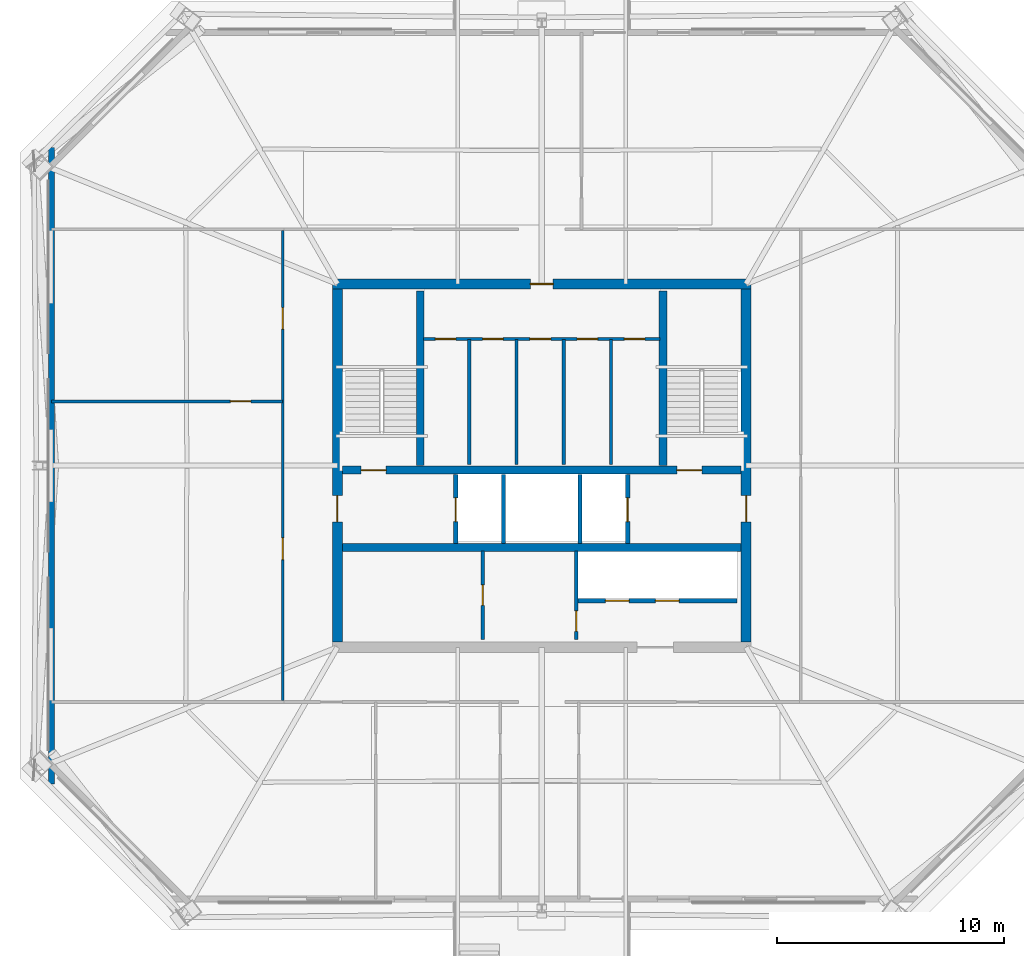
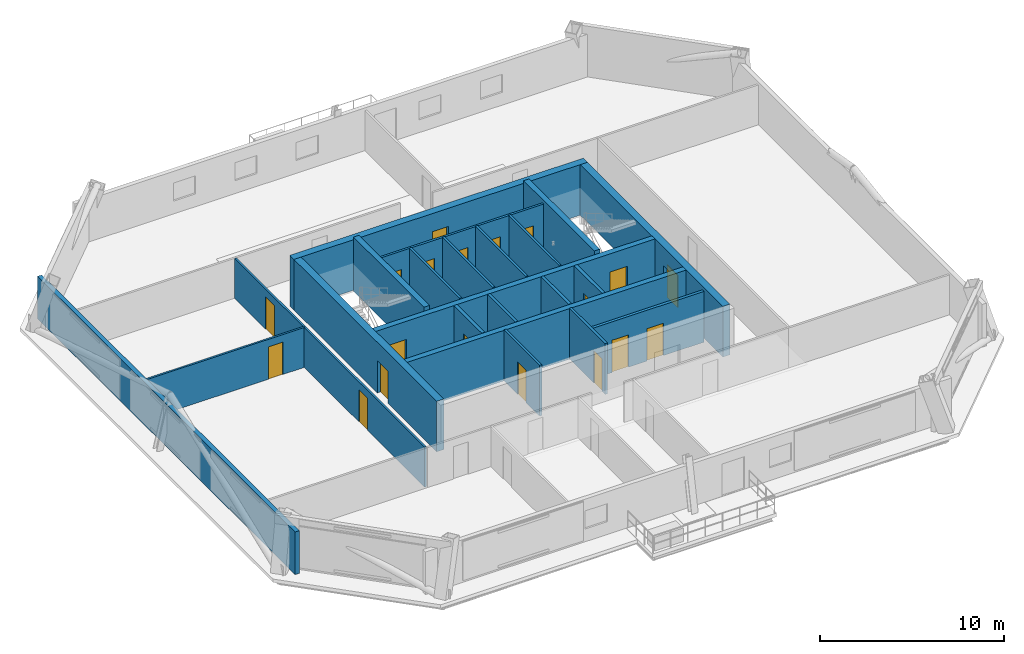
# One storey, part 3 of 6: 22 walls, 19 doors, 19 openings.
"""IFC4 building model written with IfcOpenShell, lengths in metres."""

from ifc_helpers import new_model, si_unit, direction, frame, frame_2d, origin, place, context, subcontext, project, spatial, rectangle, extrude, material, layer, layer_set, type_object, element, fill, save


model = new_model("IFC4")

# Units and contexts
model_context = context("Model", 3, precision=1e-05, world=origin(), true_north=direction((0.0, 1.0)))
body_context = subcontext(model_context, "Body", "Model", "MODEL_VIEW")
ifc_project = project(units=[si_unit("LENGTHUNIT", "METRE"), si_unit("AREAUNIT", "SQUARE_METRE"), si_unit("VOLUMEUNIT", "CUBIC_METRE"), si_unit("PLANEANGLEUNIT", "RADIAN"), si_unit("MASSUNIT", "GRAM", prefix="KILO")], contexts=[model_context])

# Site, building, storey
site_placement = place(None, origin())
site = spatial("IfcSite", under=ifc_project, at=site_placement, CompositionType="ELEMENT")
building_placement = place(site_placement, origin())
building = spatial("IfcBuilding", under=site, at=building_placement, Name="Caelvoria Tower", CompositionType="ELEMENT")
storey_placement = place(building_placement, frame((0.0, 0.0, 195.0)))
storey = spatial("IfcBuildingStorey", under=building, at=storey_placement, Name="L51", CompositionType="ELEMENT", Elevation=195.0)

# Wall, openings, doors
ifc_material_1 = material(Name="Concrete C50/60", Category="concrete")
ifc_layer_1 = layer(ifc_material_1, 0.35009765625, Name="Concrete C50/60")
ifc_layer_set_1 = layer_set([ifc_layer_1], Name="Core Internal Shear Wall 350 - Concrete C50/60")
wall_type_1 = type_object("IfcWallType", Name="Core Internal Shear Wall 350", PredefinedType="SHEAR", material=ifc_layer_set_1)
wall_1_placement = place(storey_placement, frame((37.22509765625, 31.800048828125, 0.0), z_axis=(0.0, 0.0, 1.0), x_axis=(1.0, 0.0, 0.0)))
wall_1 = element("IfcWall", 1, at=wall_1_placement, inside=storey, type_object=wall_type_1, Name="Core Shear Wall L51 M1", PredefinedType="SHEAR", context=body_context, shape_type="SweptSolid", body=[
    extrude(rectangle(XDim=17.5498046875, YDim=0.35009765625, at=frame_2d((8.77490234375, 0.0))), origin(), (0.0, 0.0, 1.0), 3.360107421875),
])
opening_1_placement = place(wall_1_placement, frame((0.824951171875, 0.0, 0.0)))
opening_1 = element("IfcOpeningElement", 2, at=opening_1_placement, cuts=wall_1, Name="Opening ID-01", PredefinedType="OPENING", context=body_context, shape_type="SweptSolid", body=[
    extrude(rectangle(XDim=1.10009765625, YDim=2.14990234375, at=frame_2d((0.550048828125, 1.074951171875))), frame((0.0, 0.18505859375, 0.0), z_axis=(0.0, -1.0, 0.0), x_axis=(1.0, 0.0, 0.0)), (0.0, 0.0, 1.0), 0.3701171875),
])
opening_2_placement = place(wall_1_placement, frame((14.72509765625, 0.0, 0.0)))
opening_2 = element("IfcOpeningElement", 3, at=opening_2_placement, cuts=wall_1, Name="Opening ID-01", PredefinedType="OPENING", context=body_context, shape_type="SweptSolid", body=[
    extrude(rectangle(XDim=1.10009765625, YDim=2.14990234375, at=frame_2d((0.550048828125, 1.074951171875))), frame((0.0, 0.18505859375, 0.0), z_axis=(0.0, -1.0, 0.0), x_axis=(1.0, 0.0, 0.0)), (0.0, 0.0, 1.0), 0.3701171875),
])
ifc_material_2 = material(Name="Painted Hollow Steel Fire Door", Category="steel")
door_type_1 = type_object("IfcDoorType", Name="Fire Door FD90S 1100x2150", OperationType="NOTDEFINED", PredefinedType="DOOR", material=ifc_material_2)
door_1_placement = place(opening_1_placement, origin())
door_1 = element("IfcDoor", 4, at=door_1_placement, inside=storey, type_object=door_type_1, Name="Core Door DR-L51-ST1", OperationType="SINGLE_SWING_LEFT", OverallHeight=2.14990234375, OverallWidth=1.10009765625, PredefinedType="DOOR", context=body_context, shape_type="SweptSolid", body=[
    extrude(rectangle(XDim=1.10009765625, YDim=2.14990234375, at=frame_2d((0.550048828125, 1.074951171875))), frame((0.0, 0.02490234375, 0.0), z_axis=(0.0, -1.0, 0.0), x_axis=(1.0, 0.0, 0.0)), (0.0, 0.0, 1.0), 0.050048828125),
])
fill(opening_1, door_1)
door_2_placement = place(opening_2_placement, origin())
door_2 = element("IfcDoor", 5, at=door_2_placement, inside=storey, type_object=door_type_1, Name="Core Door DR-L51-ST2", OperationType="SINGLE_SWING_RIGHT", OverallHeight=2.14990234375, OverallWidth=1.10009765625, PredefinedType="DOOR", context=body_context, shape_type="SweptSolid", body=[
    extrude(rectangle(XDim=1.10009765625, YDim=2.14990234375, at=frame_2d((0.550048828125, 1.074951171875))), frame((0.0, 0.02490234375, 0.0), z_axis=(0.0, -1.0, 0.0), x_axis=(1.0, 0.0, 0.0)), (0.0, 0.0, 1.0), 0.050048828125),
])
fill(opening_2, door_2)

# Walls
wall_2_placement = place(storey_placement, frame((37.22509765625, 28.39990234375, 0.0), z_axis=(0.0, 0.0, 1.0), x_axis=(1.0, 0.0, 0.0)))
element("IfcWall", 6, at=wall_2_placement, inside=storey, type_object=wall_type_1, Name="Core Shear Wall L51 M2", PredefinedType="SHEAR", context=body_context, shape_type="SweptSolid", body=[
    extrude(rectangle(XDim=17.5498046875, YDim=0.35009765625, at=frame_2d((8.77490234375, 0.0))), origin(), (0.0, 0.0, 1.0), 3.360107421875),
])
for number, where, z_axis, x_axis, name in (
    (7, (40.64990234375, 32.0, 0.0), (0.0, 0.0, 1.0), (0.0, 1.0, 0.0), "Interior Partition IW-L51-ST1E"),
    (8, (51.35009765625, 32.0, 0.0), (0.0, 0.0, 1.0), (0.0, 1.0, 0.0), "Interior Partition IW-L51-ST2W"),
):
    element("IfcWall", number, at=place(storey_placement, frame(where, z_axis=z_axis, x_axis=x_axis)), inside=storey, type_object=wall_type_1, Name=name, PredefinedType="SHEAR", context=body_context, shape_type="SweptSolid", body=[
        extrude(rectangle(XDim=7.699951171875, YDim=0.35009765625, at=frame_2d((3.85009765625, 0.0))), origin(), (0.0, 0.0, 1.0), 3.60009765625),
    ])
ifc_material_3 = material(Name="Moisture-Resistant Gypsum on Steel Stud", Category="steel")
ifc_layer_2 = layer(ifc_material_3, 0.139892578125, Name="Moisture-Resistant Gypsum on Steel Stud")
ifc_layer_set_2 = layer_set([ifc_layer_2], Name="Core Sanitary Acoustic Partition Wall 140 - Moisture-Resistant Gypsum on Steel Stud")
wall_type_2 = type_object("IfcWallType", Name="Core Sanitary Acoustic Partition Wall 140", PredefinedType="PARTITIONING", material=ifc_layer_set_2)
for number, where, z_axis, x_axis, name in (
    (9, (42.81005859375, 32.050048828125, 0.0), (0.0, 0.0, 1.0), (0.0, 1.0, 0.0), "Interior Partition IW-L51-C1V0"),
    (10, (44.889892578125, 32.050048828125, 0.0), (0.0, 0.0, 1.0), (0.0, 1.0, 0.0), "Interior Partition IW-L51-C1V1"),
    (11, (46.969970703125, 32.050048828125, 0.0), (0.0, 0.0, 1.0), (0.0, 1.0, 0.0), "Interior Partition IW-L51-C1V2"),
    (12, (49.050048828125, 32.050048828125, 0.0), (0.0, 0.0, 1.0), (0.0, 1.0, 0.0), "Interior Partition IW-L51-C1V3"),
):
    element("IfcWall", number, at=place(storey_placement, frame(where, z_axis=z_axis, x_axis=x_axis)), inside=storey, type_object=wall_type_2, Name=name, PredefinedType="PARTITIONING", context=body_context, shape_type="SweptSolid", body=[
        extrude(rectangle(XDim=5.5, YDim=0.139892578125, at=frame_2d((2.75, 0.0))), origin(), (0.0, 0.0, 1.0), 3.375),
    ])

# Wall, openings, doors
wall_3_placement = place(storey_placement, frame((40.800048828125, 37.580078125, 0.0), z_axis=(0.0, 0.0, 1.0), x_axis=(1.0, 0.0, 0.0)))
wall_3 = element("IfcWall", 13, at=wall_3_placement, inside=storey, type_object=wall_type_2, Name="Interior Partition IW-L51-C1H", PredefinedType="PARTITIONING", context=body_context, shape_type="SweptSolid", body=[
    extrude(rectangle(XDim=10.39990234375, YDim=0.139892578125, at=frame_2d((5.199951171875, 0.0))), origin(), (0.0, 0.0, 1.0), 3.375),
])
opening_3_placement = place(wall_3_placement, frame((0.52001953125, 0.0, 0.0)))
opening_3 = element("IfcOpeningElement", 14, at=opening_3_placement, cuts=wall_3, Name="Opening ID-06", PredefinedType="OPENING", context=body_context, shape_type="SweptSolid", body=[
    extrude(rectangle(XDim=0.89990234375, YDim=2.14990234375, at=frame_2d((0.449951171875, 1.074951171875))), frame((0.0, 0.079833984375, 0.0), z_axis=(0.0, -1.0, 0.0), x_axis=(1.0, 0.0, 0.0)), (0.0, 0.0, 1.0), 0.159912109375),
])
opening_4_placement = place(wall_3_placement, frame((2.60009765625, 0.0, 0.0)))
opening_4 = element("IfcOpeningElement", 15, at=opening_4_placement, cuts=wall_3, Name="Opening ID-06", PredefinedType="OPENING", context=body_context, shape_type="SweptSolid", body=[
    extrude(rectangle(XDim=0.89990234375, YDim=2.14990234375, at=frame_2d((0.449951171875, 1.074951171875))), frame((0.0, 0.079833984375, 0.0), z_axis=(0.0, -1.0, 0.0), x_axis=(1.0, 0.0, 0.0)), (0.0, 0.0, 1.0), 0.159912109375),
])
opening_5_placement = place(wall_3_placement, frame((4.679931640625, 0.0, 0.0)))
opening_5 = element("IfcOpeningElement", 16, at=opening_5_placement, cuts=wall_3, Name="Opening ID-07", PredefinedType="OPENING", context=body_context, shape_type="SweptSolid", body=[
    extrude(rectangle(XDim=0.919921875, YDim=2.14990234375, at=frame_2d((0.4599609375, 1.074951171875))), frame((0.0, 0.079833984375, 0.0), z_axis=(0.0, -1.0, 0.0), x_axis=(1.0, 0.0, 0.0)), (0.0, 0.0, 1.0), 0.159912109375),
])
opening_6_placement = place(wall_3_placement, frame((6.760009765625, 0.0, 0.0)))
opening_6 = element("IfcOpeningElement", 17, at=opening_6_placement, cuts=wall_3, Name="Opening ID-06", PredefinedType="OPENING", context=body_context, shape_type="SweptSolid", body=[
    extrude(rectangle(XDim=0.89990234375, YDim=2.14990234375, at=frame_2d((0.449951171875, 1.074951171875))), frame((0.0, 0.079833984375, 0.0), z_axis=(0.0, -1.0, 0.0), x_axis=(1.0, 0.0, 0.0)), (0.0, 0.0, 1.0), 0.159912109375),
])
opening_7_placement = place(wall_3_placement, frame((8.840087890625, 0.0, 0.0)))
opening_7 = element("IfcOpeningElement", 18, at=opening_7_placement, cuts=wall_3, Name="Opening ID-06", PredefinedType="OPENING", context=body_context, shape_type="SweptSolid", body=[
    extrude(rectangle(XDim=0.89990234375, YDim=2.14990234375, at=frame_2d((0.449951171875, 1.074951171875))), frame((0.0, 0.079833984375, 0.0), z_axis=(0.0, -1.0, 0.0), x_axis=(1.0, 0.0, 0.0)), (0.0, 0.0, 1.0), 0.159912109375),
])
ifc_material_4 = material(Name="Engineered Andean Oak Accessible Door", Category="wood")
door_type_2 = type_object("IfcDoorType", Name="Accessible WC Door 950x2150", OperationType="NOTDEFINED", PredefinedType="DOOR", material=ifc_material_4)
door_3_placement = place(opening_5_placement, origin())
door_3 = element("IfcDoor", 19, at=door_3_placement, inside=storey, type_object=door_type_2, Name="Interior Door DR-L51-C1-3", OperationType="SINGLE_SWING_LEFT", OverallHeight=2.14990234375, OverallWidth=0.919921875, PredefinedType="DOOR", context=body_context, shape_type="SweptSolid", body=[
    extrude(rectangle(XDim=0.919921875, YDim=2.14990234375, at=frame_2d((0.4599609375, 1.074951171875))), frame((0.0, 0.02490234375, 0.0), z_axis=(0.0, -1.0, 0.0), x_axis=(1.0, 0.0, 0.0)), (0.0, 0.0, 1.0), 0.050048828125),
])
fill(opening_5, door_3)
ifc_material_5 = material(Name="Engineered Andean Oak Veneer Door", Category="wood")
door_type_3 = type_object("IfcDoorType", Name="Interior Timber Door 900x2150", OperationType="NOTDEFINED", PredefinedType="DOOR", material=ifc_material_5)
door_4_placement = place(opening_3_placement, origin())
door_4 = element("IfcDoor", 20, at=door_4_placement, inside=storey, type_object=door_type_3, Name="Interior Door DR-L51-C1-1", OperationType="SINGLE_SWING_LEFT", OverallHeight=2.14990234375, OverallWidth=0.89990234375, PredefinedType="DOOR", context=body_context, shape_type="SweptSolid", body=[
    extrude(rectangle(XDim=0.89990234375, YDim=2.14990234375, at=frame_2d((0.449951171875, 1.074951171875))), frame((0.0, 0.02490234375, 0.0), z_axis=(0.0, -1.0, 0.0), x_axis=(1.0, 0.0, 0.0)), (0.0, 0.0, 1.0), 0.050048828125),
])
fill(opening_3, door_4)
door_5_placement = place(opening_4_placement, origin())
door_5 = element("IfcDoor", 21, at=door_5_placement, inside=storey, type_object=door_type_3, Name="Interior Door DR-L51-C1-2", OperationType="SINGLE_SWING_RIGHT", OverallHeight=2.14990234375, OverallWidth=0.89990234375, PredefinedType="DOOR", context=body_context, shape_type="SweptSolid", body=[
    extrude(rectangle(XDim=0.89990234375, YDim=2.14990234375, at=frame_2d((0.449951171875, 1.074951171875))), frame((0.0, 0.02490234375, 0.0), z_axis=(0.0, -1.0, 0.0), x_axis=(1.0, 0.0, 0.0)), (0.0, 0.0, 1.0), 0.050048828125),
])
fill(opening_4, door_5)
door_6_placement = place(opening_6_placement, origin())
door_6 = element("IfcDoor", 22, at=door_6_placement, inside=storey, type_object=door_type_3, Name="Interior Door DR-L51-C1-4", OperationType="SINGLE_SWING_RIGHT", OverallHeight=2.14990234375, OverallWidth=0.89990234375, PredefinedType="DOOR", context=body_context, shape_type="SweptSolid", body=[
    extrude(rectangle(XDim=0.89990234375, YDim=2.14990234375, at=frame_2d((0.449951171875, 1.074951171875))), frame((0.0, 0.02490234375, 0.0), z_axis=(0.0, -1.0, 0.0), x_axis=(1.0, 0.0, 0.0)), (0.0, 0.0, 1.0), 0.050048828125),
])
fill(opening_6, door_6)
door_7_placement = place(opening_7_placement, origin())
door_7 = element("IfcDoor", 23, at=door_7_placement, inside=storey, type_object=door_type_3, Name="Interior Door DR-L51-C1-5", OperationType="SINGLE_SWING_LEFT", OverallHeight=2.14990234375, OverallWidth=0.89990234375, PredefinedType="DOOR", context=body_context, shape_type="SweptSolid", body=[
    extrude(rectangle(XDim=0.89990234375, YDim=2.14990234375, at=frame_2d((0.449951171875, 1.074951171875))), frame((0.0, 0.02490234375, 0.0), z_axis=(0.0, -1.0, 0.0), x_axis=(1.0, 0.0, 0.0)), (0.0, 0.0, 1.0), 0.050048828125),
])
fill(opening_7, door_7)

# Wall, opening, door
ifc_material_6 = material(Name="Double Gypsum Board on Steel Stud", Category="steel")
ifc_layer_3 = layer(ifc_material_6, 0.14990234375, Name="Double Gypsum Board on Steel Stud")
ifc_layer_set_3 = layer_set([ifc_layer_3], Name="Core Service Acoustic Partition Wall 150 - Double Gypsum Board on Steel Stud")
wall_type_3 = type_object("IfcWallType", Name="Core Service Acoustic Partition Wall 150", PredefinedType="PARTITIONING", material=ifc_layer_set_3)
wall_4_placement = place(storey_placement, frame((43.39990234375, 24.35009765625, 0.0), z_axis=(0.0, 0.0, 1.0), x_axis=(0.0, 1.0, 0.0)))
wall_4 = element("IfcWall", 24, at=wall_4_placement, inside=storey, type_object=wall_type_3, Name="Interior Partition IW-L51-RECL-MID", PredefinedType="PARTITIONING", context=body_context, shape_type="SweptSolid", body=[
    extrude(rectangle(XDim=3.89990234375, YDim=0.14990234375, at=frame_2d((1.949951171875, 0.0))), origin(), (0.0, 0.0, 1.0), 3.375),
])
opening_8_placement = place(wall_4_placement, frame((1.5, 0.0, 0.0)))
opening_8 = element("IfcOpeningElement", 25, at=opening_8_placement, cuts=wall_4, Name="Opening ID-06", PredefinedType="OPENING", context=body_context, shape_type="SweptSolid", body=[
    extrude(rectangle(XDim=0.89990234375, YDim=2.14990234375, at=frame_2d((0.449951171875, 1.074951171875))), frame((0.0, 0.0849609375, 0.0), z_axis=(0.0, -1.0, 0.0), x_axis=(1.0, 0.0, 0.0)), (0.0, 0.0, 1.0), 0.169921875),
])
door_8_placement = place(opening_8_placement, origin())
door_8 = element("IfcDoor", 26, at=door_8_placement, inside=storey, type_object=door_type_3, Name="Interior Door DR-L51-RECL12", OperationType="SINGLE_SWING_LEFT", OverallHeight=2.14990234375, OverallWidth=0.89990234375, PredefinedType="DOOR", context=body_context, shape_type="SweptSolid", body=[
    extrude(rectangle(XDim=0.89990234375, YDim=2.14990234375, at=frame_2d((0.449951171875, 1.074951171875))), frame((0.0, 0.02490234375, 0.0), z_axis=(0.0, -1.0, 0.0), x_axis=(1.0, 0.0, 0.0)), (0.0, 0.0, 1.0), 0.050048828125),
])
fill(opening_8, door_8)

wall_5_placement = place(storey_placement, frame((47.52001953125, 24.35009765625, 0.0), z_axis=(0.0, 0.0, 1.0), x_axis=(0.0, 1.0, 0.0)))
wall_5 = element("IfcWall", 27, at=wall_5_placement, inside=storey, type_object=wall_type_3, Name="Interior Partition IW-L51-RECL2E", PredefinedType="PARTITIONING", context=body_context, shape_type="SweptSolid", body=[
    extrude(rectangle(XDim=3.89990234375, YDim=0.14990234375, at=frame_2d((1.949951171875, 0.0))), origin(), (0.0, 0.0, 1.0), 3.375),
])
opening_9_placement = place(wall_5_placement, frame((0.35009765625, 0.0, 0.0)))
opening_9 = element("IfcOpeningElement", 28, at=opening_9_placement, cuts=wall_5, Name="Opening ID-04", PredefinedType="OPENING", context=body_context, shape_type="SweptSolid", body=[
    extrude(rectangle(XDim=0.89990234375, YDim=2.14990234375, at=frame_2d((0.449951171875, 1.074951171875))), frame((0.0, 0.0849609375, 0.0), z_axis=(0.0, -1.0, 0.0), x_axis=(1.0, 0.0, 0.0)), (0.0, 0.0, 1.0), 0.169921875),
])
ifc_material_7 = material(Name="Acoustic Timber Fire Door", Category="wood")
door_type_4 = type_object("IfcDoorType", Name="Fire Door FD30S 900x2150", OperationType="NOTDEFINED", PredefinedType="DOOR", material=ifc_material_7)
door_9_placement = place(opening_9_placement, origin())
door_9 = element("IfcDoor", 29, at=door_9_placement, inside=storey, type_object=door_type_4, Name="Interior Door DR-L51-RECL2", OperationType="SINGLE_SWING_RIGHT", OverallHeight=2.14990234375, OverallWidth=0.89990234375, PredefinedType="DOOR", context=body_context, shape_type="SweptSolid", body=[
    extrude(rectangle(XDim=0.89990234375, YDim=2.14990234375, at=frame_2d((0.449951171875, 1.074951171875))), frame((0.0, 0.02490234375, 0.0), z_axis=(0.0, -1.0, 0.0), x_axis=(1.0, 0.0, 0.0)), (0.0, 0.0, 1.0), 0.050048828125),
])
fill(opening_9, door_9)

# Walls
ifc_material_8 = material(Name="Concrete Block and Fireboard Assembly", Category="concrete")
ifc_layer_4 = layer(ifc_material_8, 0.179931640625, Name="Concrete Block and Fireboard Assembly")
ifc_layer_set_4 = layer_set([ifc_layer_4], Name="Fire-Rated Hoistway Partition Wall 180 - Concrete Block and Fireboard Assembly")
wall_type_4 = type_object("IfcWallType", Name="Fire-Rated Hoistway Partition Wall 180", PredefinedType="PARTITIONING", material=ifc_layer_set_4)
for number, where, z_axis, x_axis, name in (
    (30, (44.320068359375, 28.580078125, 0.0), (0.0, 0.0, 1.0), (0.0, 1.0, 0.0), "Interior Partition IW-L51-SV1W"),
    (31, (47.679931640625, 28.580078125, 0.0), (0.0, 0.0, 1.0), (0.0, 1.0, 0.0), "Interior Partition IW-L51-SV1E"),
):
    element("IfcWall", number, at=place(storey_placement, frame(where, z_axis=z_axis, x_axis=x_axis)), inside=storey, type_object=wall_type_4, Name=name, PredefinedType="PARTITIONING", context=body_context, shape_type="SweptSolid", body=[
        extrude(rectangle(XDim=3.0400390625, YDim=0.179931640625, at=frame_2d((1.52001953125, 0.0))), origin(), (0.0, 0.0, 1.0), 3.375),
    ])

# Wall, openings, doors
wall_6_placement = place(storey_placement, frame((47.60009765625, 26.050048828125, 0.0), z_axis=(0.0, 0.0, 1.0), x_axis=(1.0, 0.0, 0.0)))
wall_6 = element("IfcWall", 32, at=wall_6_placement, inside=storey, type_object=wall_type_4, Name="Interior Partition IW-L51-LFRONT", PredefinedType="PARTITIONING", context=body_context, shape_type="SweptSolid", body=[
    extrude(rectangle(XDim=7.0, YDim=0.179931640625, at=frame_2d((3.5, 0.0))), origin(), (0.0, 0.0, 1.0), 3.375),
])
opening_10_placement = place(wall_6_placement, frame((1.199951171875, 0.0, 0.0)))
opening_10 = element("IfcOpeningElement", 33, at=opening_10_placement, cuts=wall_6, Name="Opening LD-01", PredefinedType="OPENING", context=body_context, shape_type="SweptSolid", body=[
    extrude(rectangle(XDim=1.050048828125, YDim=2.14990234375, at=frame_2d((0.52490234375, 1.074951171875))), frame((0.0, 0.099853515625, 0.0), z_axis=(0.0, -1.0, 0.0), x_axis=(1.0, 0.0, 0.0)), (0.0, 0.0, 1.0), 0.199951171875),
])
opening_11_placement = place(wall_6_placement, frame((3.39990234375, 0.0, 0.0)))
opening_11 = element("IfcOpeningElement", 34, at=opening_11_placement, cuts=wall_6, Name="Opening LD-01", PredefinedType="OPENING", context=body_context, shape_type="SweptSolid", body=[
    extrude(rectangle(XDim=1.050048828125, YDim=2.14990234375, at=frame_2d((0.52490234375, 1.074951171875))), frame((0.0, 0.099853515625, 0.0), z_axis=(0.0, -1.0, 0.0), x_axis=(1.0, 0.0, 0.0)), (0.0, 0.0, 1.0), 0.199951171875),
])
ifc_material_9 = material(Name="Brushed Bronze Stainless Sliding Landing Door", Category="aluminium")
door_type_5 = type_object("IfcDoorType", Name="Lift Landing Sliding Door 1100x2150", OperationType="NOTDEFINED", PredefinedType="DOOR", material=ifc_material_9)
door_10_placement = place(opening_10_placement, origin())
door_10 = element("IfcDoor", 35, at=door_10_placement, inside=storey, type_object=door_type_5, Name="Interior Door LD-L51-PH1", OperationType="SLIDING_TO_LEFT", OverallHeight=2.14990234375, OverallWidth=1.050048828125, PredefinedType="DOOR", context=body_context, shape_type="SweptSolid", body=[
    extrude(rectangle(XDim=1.050048828125, YDim=2.14990234375, at=frame_2d((0.52490234375, 1.074951171875))), frame((0.0, 0.02490234375, 0.0), z_axis=(0.0, -1.0, 0.0), x_axis=(1.0, 0.0, 0.0)), (0.0, 0.0, 1.0), 0.050048828125),
])
fill(opening_10, door_10)
door_11_placement = place(opening_11_placement, origin())
door_11 = element("IfcDoor", 36, at=door_11_placement, inside=storey, type_object=door_type_5, Name="Interior Door LD-L51-PH2", OperationType="SLIDING_TO_RIGHT", OverallHeight=2.14990234375, OverallWidth=1.050048828125, PredefinedType="DOOR", context=body_context, shape_type="SweptSolid", body=[
    extrude(rectangle(XDim=1.050048828125, YDim=2.14990234375, at=frame_2d((0.52490234375, 1.074951171875))), frame((0.0, 0.02490234375, 0.0), z_axis=(0.0, -1.0, 0.0), x_axis=(1.0, 0.0, 0.0)), (0.0, 0.0, 1.0), 0.050048828125),
])
fill(opening_11, door_11)

# Wall, opening, door
ifc_layer_5 = layer(ifc_material_8, 0.199951171875, Name="Concrete Block and Fireboard Assembly")
ifc_layer_set_5 = layer_set([ifc_layer_5], Name="Fire-Rated Shaft and Core Partition Wall 200 - Concrete Block and Fireboard Assembly")
wall_type_5 = type_object("IfcWallType", Name="Fire-Rated Shaft and Core Partition Wall 200", PredefinedType="PARTITIONING", material=ifc_layer_set_5)
wall_7_placement = place(storey_placement, frame((42.219970703125, 28.580078125, 0.0), z_axis=(0.0, 0.0, 1.0), x_axis=(0.0, 1.0, 0.0)))
wall_7 = element("IfcWall", 37, at=wall_7_placement, inside=storey, type_object=wall_type_5, Name="Interior Partition IW-L51-LF1W", PredefinedType="PARTITIONING", context=body_context, shape_type="SweptSolid", body=[
    extrude(rectangle(XDim=3.0400390625, YDim=0.199951171875, at=frame_2d((1.52001953125, 0.0))), origin(), (0.0, 0.0, 1.0), 3.375),
])
opening_12_placement = place(wall_7_placement, frame((0.949951171875, 0.0, 0.0)))
opening_12 = element("IfcOpeningElement", 38, at=opening_12_placement, cuts=wall_7, Name="Opening LD-01", PredefinedType="OPENING", context=body_context, shape_type="SweptSolid", body=[
    extrude(rectangle(XDim=1.050048828125, YDim=2.14990234375, at=frame_2d((0.52490234375, 1.074951171875))), frame((0.0, 0.10986328125, 0.0), z_axis=(0.0, -1.0, 0.0), x_axis=(1.0, 0.0, 0.0)), (0.0, 0.0, 1.0), 0.219970703125),
])
door_12_placement = place(opening_12_placement, origin())
door_12 = element("IfcDoor", 39, at=door_12_placement, inside=storey, type_object=door_type_5, Name="Interior Door LD-L51-LF1", OperationType="SLIDING_TO_LEFT", OverallHeight=2.14990234375, OverallWidth=1.050048828125, PredefinedType="DOOR", context=body_context, shape_type="SweptSolid", body=[
    extrude(rectangle(XDim=1.050048828125, YDim=2.14990234375, at=frame_2d((0.52490234375, 1.074951171875))), frame((0.0, 0.02490234375, 0.0), z_axis=(0.0, -1.0, 0.0), x_axis=(1.0, 0.0, 0.0)), (0.0, 0.0, 1.0), 0.050048828125),
])
fill(opening_12, door_12)

wall_8_placement = place(storey_placement, frame((49.780029296875, 28.580078125, 0.0), z_axis=(0.0, 0.0, 1.0), x_axis=(0.0, 1.0, 0.0)))
wall_8 = element("IfcWall", 40, at=wall_8_placement, inside=storey, type_object=wall_type_5, Name="Interior Partition IW-L51-LF2E", PredefinedType="PARTITIONING", context=body_context, shape_type="SweptSolid", body=[
    extrude(rectangle(XDim=3.0400390625, YDim=0.199951171875, at=frame_2d((1.52001953125, 0.0))), origin(), (0.0, 0.0, 1.0), 3.375),
])
opening_13_placement = place(wall_8_placement, frame((0.949951171875, 0.0, 0.0)))
opening_13 = element("IfcOpeningElement", 41, at=opening_13_placement, cuts=wall_8, Name="Opening LD-01", PredefinedType="OPENING", context=body_context, shape_type="SweptSolid", body=[
    extrude(rectangle(XDim=1.050048828125, YDim=2.14990234375, at=frame_2d((0.52490234375, 1.074951171875))), frame((0.0, 0.10986328125, 0.0), z_axis=(0.0, -1.0, 0.0), x_axis=(1.0, 0.0, 0.0)), (0.0, 0.0, 1.0), 0.219970703125),
])
door_13_placement = place(opening_13_placement, origin())
door_13 = element("IfcDoor", 42, at=door_13_placement, inside=storey, type_object=door_type_5, Name="Interior Door LD-L51-LF2", OperationType="SLIDING_TO_RIGHT", OverallHeight=2.14990234375, OverallWidth=1.050048828125, PredefinedType="DOOR", context=body_context, shape_type="SweptSolid", body=[
    extrude(rectangle(XDim=1.050048828125, YDim=2.14990234375, at=frame_2d((0.52490234375, 1.074951171875))), frame((0.0, 0.02490234375, 0.0), z_axis=(0.0, -1.0, 0.0), x_axis=(1.0, 0.0, 0.0)), (0.0, 0.0, 1.0), 0.050048828125),
])
fill(opening_13, door_13)

ifc_material_10 = material(Name="Acoustic Gypsum Board on Light-Gauge Stud", Category="gypsum")
ifc_layer_6 = layer(ifc_material_10, 0.1201171875, Name="Acoustic Gypsum Board on Light-Gauge Stud")
ifc_layer_set_6 = layer_set([ifc_layer_6], Name="Tenant Suite Acoustic Partition Wall 120 - Acoustic Gypsum Board on Light-Gauge Stud")
wall_type_6 = type_object("IfcWallType", Name="Tenant Suite Acoustic Partition Wall 120", PredefinedType="PARTITIONING", material=ifc_layer_set_6)
wall_9_placement = place(storey_placement, frame((34.590087890625, 34.828857421875, 0.0), z_axis=(0.0, 0.0, 1.0), x_axis=(-1.0, 0.0, 0.0)))
wall_9 = element("IfcWall", 43, at=wall_9_placement, inside=storey, type_object=wall_type_6, Name="Interior Partition IW-L51-WD-00-0", PredefinedType="PARTITIONING", context=body_context, shape_type="SweptSolid", body=[
    extrude(rectangle(XDim=10.190185546875, YDim=0.1201171875, at=frame_2d((5.09521484375, 0.0))), origin(), (0.0, 0.0, 1.0), 2.655029296875),
])
opening_14_placement = place(wall_9_placement, frame((1.39990234375, 0.0, 0.0)))
opening_14 = element("IfcOpeningElement", 44, at=opening_14_placement, cuts=wall_9, Name="Opening ID-06", PredefinedType="OPENING", context=body_context, shape_type="SweptSolid", body=[
    extrude(rectangle(XDim=0.89990234375, YDim=2.14990234375, at=frame_2d((0.449951171875, 1.074951171875))), frame((0.0, 0.070068359375, 0.0), z_axis=(0.0, -1.0, 0.0), x_axis=(1.0, 0.0, 0.0)), (0.0, 0.0, 1.0), 0.14013671875),
])
door_14_placement = place(opening_14_placement, origin())
door_14 = element("IfcDoor", 45, at=door_14_placement, inside=storey, type_object=door_type_3, Name="Interior Door DR-L51-WM-00-0", OperationType="SINGLE_SWING_RIGHT", OverallHeight=2.14990234375, OverallWidth=0.89990234375, PredefinedType="DOOR", context=body_context, shape_type="SweptSolid", body=[
    extrude(rectangle(XDim=0.89990234375, YDim=2.14990234375, at=frame_2d((0.449951171875, 1.074951171875))), frame((0.0, 0.02490234375, 0.0), z_axis=(0.0, -1.0, 0.0), x_axis=(1.0, 0.0, 0.0)), (0.0, 0.0, 1.0), 0.050048828125),
])
fill(opening_14, door_14)

# Wall, openings, doors
wall_10_placement = place(storey_placement, frame((34.590087890625, 21.64990234375, 0.0), z_axis=(0.0, 0.0, 1.0), x_axis=(0.0, 1.0, 0.0)))
wall_10 = element("IfcWall", 46, at=wall_10_placement, inside=storey, type_object=wall_type_6, Name="Interior Partition IW-L51-WCW-0", PredefinedType="PARTITIONING", context=body_context, shape_type="SweptSolid", body=[
    extrude(rectangle(XDim=20.7001953125, YDim=0.1201171875, at=frame_2d((10.35009765625, 0.0))), origin(), (0.0, 0.0, 1.0), 2.655029296875),
])
opening_15_placement = place(wall_10_placement, frame((6.21435546875, 0.0, 0.0)))
opening_15 = element("IfcOpeningElement", 47, at=opening_15_placement, cuts=wall_10, Name="Opening ID-05", PredefinedType="OPENING", context=body_context, shape_type="SweptSolid", body=[
    extrude(rectangle(XDim=0.949951171875, YDim=2.14990234375, at=frame_2d((0.47509765625, 1.074951171875))), frame((0.0, 0.070068359375, 0.0), z_axis=(0.0, -1.0, 0.0), x_axis=(1.0, 0.0, 0.0)), (0.0, 0.0, 1.0), 0.14013671875),
])
opening_16_placement = place(wall_10_placement, frame((16.364501953125, 0.0, 0.0)))
opening_16 = element("IfcOpeningElement", 48, at=opening_16_placement, cuts=wall_10, Name="Opening ID-05", PredefinedType="OPENING", context=body_context, shape_type="SweptSolid", body=[
    extrude(rectangle(XDim=0.949951171875, YDim=2.14990234375, at=frame_2d((0.47509765625, 1.074951171875))), frame((0.0, 0.070068359375, 0.0), z_axis=(0.0, -1.0, 0.0), x_axis=(1.0, 0.0, 0.0)), (0.0, 0.0, 1.0), 0.14013671875),
])
door_type_6 = type_object("IfcDoorType", Name="Interior Timber Door 950x2150", OperationType="NOTDEFINED", PredefinedType="DOOR", material=ifc_material_5)
door_15_placement = place(opening_15_placement, origin())
door_15 = element("IfcDoor", 49, at=door_15_placement, inside=storey, type_object=door_type_6, Name="Interior Door DR-L51-WC-00-0", OperationType="SINGLE_SWING_RIGHT", OverallHeight=2.14990234375, OverallWidth=0.949951171875, PredefinedType="DOOR", context=body_context, shape_type="SweptSolid", body=[
    extrude(rectangle(XDim=0.949951171875, YDim=2.14990234375, at=frame_2d((0.47509765625, 1.074951171875))), frame((0.0, 0.02490234375, 0.0), z_axis=(0.0, -1.0, 0.0), x_axis=(1.0, 0.0, 0.0)), (0.0, 0.0, 1.0), 0.050048828125),
])
fill(opening_15, door_15)
door_16_placement = place(opening_16_placement, origin())
door_16 = element("IfcDoor", 50, at=door_16_placement, inside=storey, type_object=door_type_6, Name="Interior Door DR-L51-WC-01-0", OperationType="SINGLE_SWING_LEFT", OverallHeight=2.14990234375, OverallWidth=0.949951171875, PredefinedType="DOOR", context=body_context, shape_type="SweptSolid", body=[
    extrude(rectangle(XDim=0.949951171875, YDim=2.14990234375, at=frame_2d((0.47509765625, 1.074951171875))), frame((0.0, 0.02490234375, 0.0), z_axis=(0.0, -1.0, 0.0), x_axis=(1.0, 0.0, 0.0)), (0.0, 0.0, 1.0), 0.050048828125),
])
fill(opening_16, door_16)

# Wall, opening, door
ifc_layer_7 = layer(ifc_material_1, 0.449951171875, Name="Concrete C50/60")
ifc_layer_set_7 = layer_set([ifc_layer_7], Name="Upper Core Shear Wall 450 - Concrete C50/60")
wall_type_7 = type_object("IfcWallType", Name="Upper Core Shear Wall 450", PredefinedType="SHEAR", material=ifc_layer_set_7)
wall_11_placement = place(storey_placement, frame((36.77490234375, 40.0, 0.0), z_axis=(0.0, 0.0, 1.0), x_axis=(1.0, 0.0, 0.0)))
wall_11 = element("IfcWall", 51, at=wall_11_placement, inside=storey, type_object=wall_type_7, Name="Core Shear Wall L51 N", PredefinedType="SHEAR", context=body_context, shape_type="SweptSolid", body=[
    extrude(rectangle(XDim=18.4501953125, YDim=0.449951171875, at=frame_2d((9.22509765625, 0.0))), origin(), (0.0, 0.0, 1.0), 3.360107421875),
])
opening_17_placement = place(wall_11_placement, frame((8.72509765625, 0.0, 0.0)))
opening_17 = element("IfcOpeningElement", 52, at=opening_17_placement, cuts=wall_11, Name="Opening ID-03", PredefinedType="OPENING", context=body_context, shape_type="SweptSolid", body=[
    extrude(rectangle(XDim=1.0, YDim=2.14990234375, at=frame_2d((0.5, 1.074951171875))), frame((0.0, 0.23486328125, 0.0), z_axis=(0.0, -1.0, 0.0), x_axis=(1.0, 0.0, 0.0)), (0.0, 0.0, 1.0), 0.469970703125),
])
door_type_7 = type_object("IfcDoorType", Name="Fire Door FD60S 1000x2150", OperationType="NOTDEFINED", PredefinedType="DOOR", material=ifc_material_2)
door_17_placement = place(opening_17_placement, origin())
door_17 = element("IfcDoor", 53, at=door_17_placement, inside=storey, type_object=door_type_7, Name="Core Door DR-L51-WC-MAIN", OperationType="SINGLE_SWING_RIGHT", OverallHeight=2.14990234375, OverallWidth=1.0, PredefinedType="DOOR", context=body_context, shape_type="SweptSolid", body=[
    extrude(rectangle(XDim=1.0, YDim=2.14990234375, at=frame_2d((0.5, 1.074951171875))), frame((0.0, 0.02490234375, 0.0), z_axis=(0.0, -1.0, 0.0), x_axis=(1.0, 0.0, 0.0)), (0.0, 0.0, 1.0), 0.050048828125),
])
fill(opening_17, door_17)

wall_12_placement = place(storey_placement, frame((37.0, 24.22509765625, 0.0), z_axis=(0.0, 0.0, 1.0), x_axis=(0.0, 1.0, 0.0)))
wall_12 = element("IfcWall", 54, at=wall_12_placement, inside=storey, type_object=wall_type_7, Name="Core Shear Wall L51 W", PredefinedType="SHEAR", context=body_context, shape_type="SweptSolid", body=[
    extrude(rectangle(XDim=15.5498046875, YDim=0.449951171875, at=frame_2d((7.77490234375, 0.0))), origin(), (0.0, 0.0, 1.0), 3.360107421875),
])
opening_18_placement = place(wall_12_placement, frame((5.300048828125, 0.0, 0.0)))
opening_18 = element("IfcOpeningElement", 55, at=opening_18_placement, cuts=wall_12, Name="Opening ID-02", PredefinedType="OPENING", context=body_context, shape_type="SweptSolid", body=[
    extrude(rectangle(XDim=1.14990234375, YDim=2.14990234375, at=frame_2d((0.574951171875, 1.074951171875))), frame((0.0, 0.23486328125, 0.0), z_axis=(0.0, -1.0, 0.0), x_axis=(1.0, 0.0, 0.0)), (0.0, 0.0, 1.0), 0.469970703125),
])
door_type_8 = type_object("IfcDoorType", Name="Fire Door FD60S 1150x2150", OperationType="NOTDEFINED", PredefinedType="DOOR", material=ifc_material_2)
door_18_placement = place(opening_18_placement, origin())
door_18 = element("IfcDoor", 56, at=door_18_placement, inside=storey, type_object=door_type_8, Name="Core Door DR-L51-FFLW-OUT", OperationType="SINGLE_SWING_LEFT", OverallHeight=2.14990234375, OverallWidth=1.14990234375, PredefinedType="DOOR", context=body_context, shape_type="SweptSolid", body=[
    extrude(rectangle(XDim=1.14990234375, YDim=2.14990234375, at=frame_2d((0.574951171875, 1.074951171875))), frame((0.0, 0.02490234375, 0.0), z_axis=(0.0, -1.0, 0.0), x_axis=(1.0, 0.0, 0.0)), (0.0, 0.0, 1.0), 0.050048828125),
])
fill(opening_18, door_18)

wall_13_placement = place(storey_placement, frame((55.0, 24.22509765625, 0.0), z_axis=(0.0, 0.0, 1.0), x_axis=(0.0, 1.0, 0.0)))
wall_13 = element("IfcWall", 57, at=wall_13_placement, inside=storey, type_object=wall_type_7, Name="Core Shear Wall L51 E", PredefinedType="SHEAR", context=body_context, shape_type="SweptSolid", body=[
    extrude(rectangle(XDim=15.5498046875, YDim=0.449951171875, at=frame_2d((7.77490234375, 0.0))), origin(), (0.0, 0.0, 1.0), 3.360107421875),
])
opening_19_placement = place(wall_13_placement, frame((5.300048828125, 0.0, 0.0)))
opening_19 = element("IfcOpeningElement", 58, at=opening_19_placement, cuts=wall_13, Name="Opening ID-02", PredefinedType="OPENING", context=body_context, shape_type="SweptSolid", body=[
    extrude(rectangle(XDim=1.14990234375, YDim=2.14990234375, at=frame_2d((0.574951171875, 1.074951171875))), frame((0.0, 0.23486328125, 0.0), z_axis=(0.0, -1.0, 0.0), x_axis=(1.0, 0.0, 0.0)), (0.0, 0.0, 1.0), 0.469970703125),
])
door_19_placement = place(opening_19_placement, origin())
door_19 = element("IfcDoor", 59, at=door_19_placement, inside=storey, type_object=door_type_8, Name="Core Door DR-L51-FFLE-OUT", OperationType="SINGLE_SWING_RIGHT", OverallHeight=2.14990234375, OverallWidth=1.14990234375, PredefinedType="DOOR", context=body_context, shape_type="SweptSolid", body=[
    extrude(rectangle(XDim=1.14990234375, YDim=2.14990234375, at=frame_2d((0.574951171875, 1.074951171875))), frame((0.0, 0.02490234375, 0.0), z_axis=(0.0, -1.0, 0.0), x_axis=(1.0, 0.0, 0.0)), (0.0, 0.0, 1.0), 0.050048828125),
])
fill(opening_19, door_19)

# Wall
ifc_material_11 = material(Name="Precast Concrete C40/50 with Bronze Cladding", Category="concrete")
ifc_layer_8 = layer(ifc_material_11, 0.264892578125, Name="Precast Concrete C40/50 with Bronze Cladding")
ifc_layer_set_8 = layer_set([ifc_layer_8], Name="Upper Taper Precast Concrete C40/50 Bronze Facade Wall 265 - Precast Concrete C40/50 with Bronze Cladding")
wall_type_8 = type_object("IfcWallType", Name="Upper Taper Precast Concrete C40/50 Bronze Facade Wall 265", PredefinedType="STANDARD", material=ifc_layer_set_8)
wall_14_placement = place(storey_placement, frame((24.39990234375, 46.02001953125, 0.0), z_axis=(0.0, 0.0, 1.0), x_axis=(0.0, -1.0, 0.0)))
element("IfcWall", 60, at=wall_14_placement, inside=storey, type_object=wall_type_8, Name="Exterior Facade Wall L51-E6", PredefinedType="STANDARD", context=body_context, shape_type="SweptSolid", body=[
    extrude(rectangle(XDim=28.0400390625, YDim=0.264892578125, at=frame_2d((14.02001953125, 0.0))), origin(), (0.0, 0.0, 1.0), 2.83203125),
])

save(model, "model.ifc")
